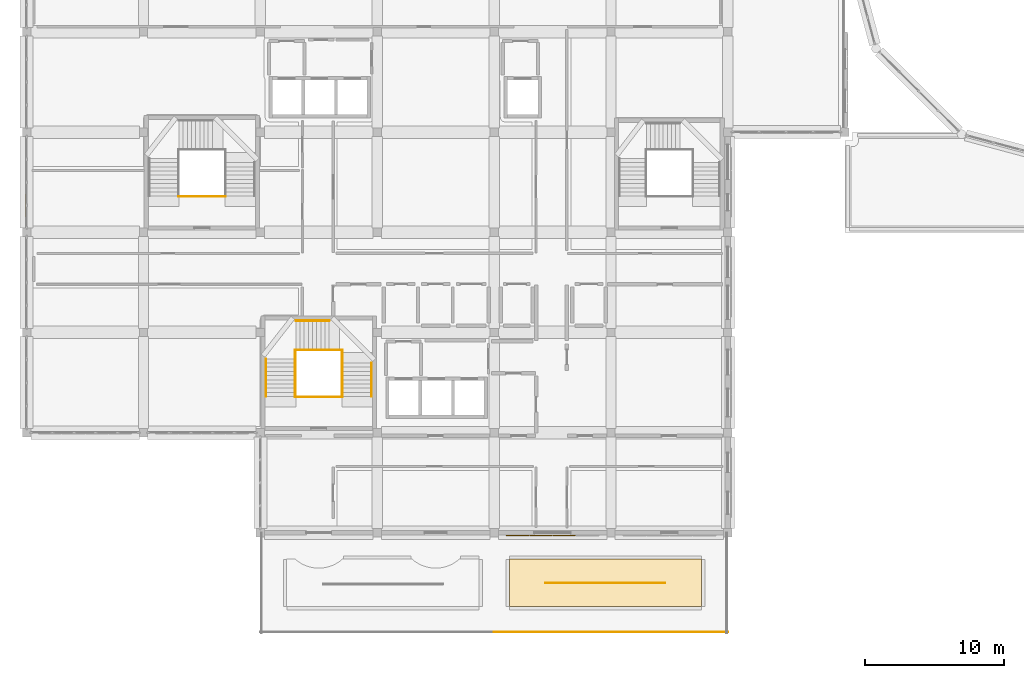
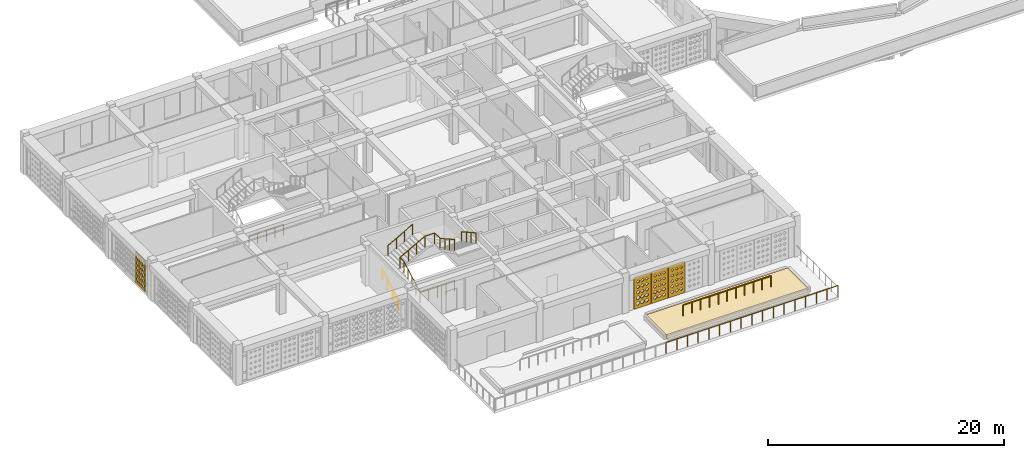
# One storey, part 37 of 48: 11 railings, 5 coverings.
"""IFC4 building model written with IfcOpenShell, lengths in metres."""

from ifc_helpers import new_model, si_unit, derived_unit, direction, frame, origin, origin_2d, place, context, subcontext, project, spatial, polyline, circle, outline, extrude, material, layer, layer_set, type_object, element, save


model = new_model("IFC4")

# Units and contexts
model_context = context("Model", 3, precision=1e-05, world=origin(), true_north=direction((0.0, 1.0)))
body_context = subcontext(model_context, "Body", "Model", "MODEL_VIEW")
ifc_project = project(units=[si_unit("LENGTHUNIT", "METRE"), si_unit("AREAUNIT", "SQUARE_METRE"), si_unit("VOLUMEUNIT", "CUBIC_METRE"), si_unit("PLANEANGLEUNIT", "RADIAN"), si_unit("MASSUNIT", "GRAM", prefix="KILO"), derived_unit("THERMALTRANSMITTANCEUNIT", [(si_unit("POWERUNIT", "WATT"), 1), (si_unit("LENGTHUNIT", "METRE"), -2), (si_unit("THERMODYNAMICTEMPERATUREUNIT", "KELVIN"), -1)])], contexts=[model_context])

# Site, building, storey
site_placement = place(None, origin())
site = spatial("IfcSite", under=ifc_project, at=site_placement, CompositionType="ELEMENT")
building_placement = place(site_placement, origin())
building = spatial("IfcBuilding", under=site, at=building_placement, Name="Veybourne Emporium", CompositionType="ELEMENT")
storey_placement = place(building_placement, frame((0.0, 0.0, 27.89990234375)))
storey = spatial("IfcBuildingStorey", under=building, at=storey_placement, Name="L06", CompositionType="ELEMENT", Elevation=27.89990234375)

# Railings
ifc_material_1 = material(Name="Brushed Stainless Steel", Category="steel")
railing_type_1 = type_object("IfcRailingType", Name="Guard_GR-01", PredefinedType="GUARDRAIL", material=ifc_material_1)
railing_1_placement = place(storey_placement, frame((19.31005859375, 17.0, 0.0)))
element("IfcRailing", 1, at=railing_1_placement, inside=storey, type_object=railing_type_1, Name="L06 ST-01 stair guard 1", PredefinedType="GUARDRAIL", context=body_context, shape_type="SweptSolid", body=[
    extrude(circle(Radius=0.02392578125, at=origin_2d()), frame((0.0, 0.0, 1.1259765625), z_axis=(0.0, 0.87415354758, 0.485649642493), x_axis=(-1.0, 0.0, 0.0)), (0.0, 0.0, 1.0), 3.088623046875),
    extrude(circle(Radius=0.02392578125, at=origin_2d()), frame((0.0, 2.699951171875, 2.6259765625), z_axis=(0.0, 1.0, 0.0), x_axis=(-1.0, 0.0, 0.0)), (0.0, 0.0, 1.0), 0.64013671875),
    extrude(circle(Radius=0.02099609375, at=origin_2d()), origin(), (0.0, 0.0, 1.0), 1.101806640625),
    extrude(circle(Radius=0.02099609375, at=origin_2d()), frame((0.0, 0.675048828125, 0.375)), (0.0, 0.0, 1.0), 1.101806640625),
    extrude(circle(Radius=0.02099609375, at=origin_2d()), frame((0.0, 1.35009765625, 0.75)), (0.0, 0.0, 1.0), 1.101806640625),
    extrude(circle(Radius=0.02099609375, at=origin_2d()), frame((0.0, 2.02490234375, 1.125)), (0.0, 0.0, 1.0), 1.101806640625),
    extrude(circle(Radius=0.02099609375, at=origin_2d()), frame((0.0, 2.699951171875, 1.5)), (0.0, 0.0, 1.0), 1.101806640625),
    extrude(circle(Radius=0.02099609375, at=origin_2d()), frame((0.0, 3.340087890625, 1.5)), (0.0, 0.0, 1.0), 1.101806640625),
])
railing_2_placement = place(storey_placement, frame((19.31005859375, 20.340087890625, 1.5)))
element("IfcRailing", 2, at=railing_2_placement, inside=storey, type_object=railing_type_1, Name="L06 ST-01 stair guard 2", PredefinedType="GUARDRAIL", context=body_context, shape_type="SweptSolid", body=[
    extrude(circle(Radius=0.02392578125, at=origin_2d()), frame((0.0, 0.0, 1.1259765625), z_axis=(0.874981962121, 0.0, 0.484155518364), x_axis=(0.0, 1.0, 0.0)), (0.0, 0.0, 1.0), 2.78857421875),
    extrude(circle(Radius=0.02392578125, at=origin_2d()), frame((2.43994140625, 0.0, 2.47607421875), z_axis=(1.0, 0.0, 0.0), x_axis=(0.0, 1.0, 0.0)), (0.0, 0.0, 1.0), 0.93994140625),
    extrude(circle(Radius=0.02099609375, at=origin_2d()), origin(), (0.0, 0.0, 1.0), 1.101806640625),
    extrude(circle(Radius=0.02099609375, at=origin_2d()), frame((0.813232421875, 0.0, 0.449951171875)), (0.0, 0.0, 1.0), 1.101806640625),
    extrude(circle(Radius=0.02099609375, at=origin_2d()), frame((1.626708984375, 0.0, 0.900146484375)), (0.0, 0.0, 1.0), 1.101806640625),
    extrude(circle(Radius=0.02099609375, at=origin_2d()), frame((2.43994140625, 0.0, 1.35009765625)), (0.0, 0.0, 1.0), 1.101806640625),
    extrude(circle(Radius=0.02099609375, at=origin_2d()), frame((3.3798828125, 0.0, 1.35009765625)), (0.0, 0.0, 1.0), 1.101806640625),
])
railing_3_placement = place(storey_placement, frame((22.68994140625, 20.340087890625, 2.85009765625)))
element("IfcRailing", 3, at=railing_3_placement, inside=storey, type_object=railing_type_1, Name="L06 ST-01 stair guard 3", PredefinedType="GUARDRAIL", context=body_context, shape_type="SweptSolid", body=[
    extrude(circle(Radius=0.02392578125, at=origin_2d()), frame((0.0, 0.0, 1.1259765625), z_axis=(0.0, -1.0, 0.0), x_axis=(1.0, 0.0, 0.0)), (0.0, 0.0, 1.0), 0.940185546875),
    extrude(circle(Radius=0.02392578125, at=origin_2d()), frame((0.0, -0.940185546875, 1.1259765625), z_axis=(0.0, -0.87155185771, 0.490303333991), x_axis=(1.0, 0.0, 0.0)), (0.0, 0.0, 1.0), 2.753662109375),
    extrude(circle(Radius=0.02099609375, at=origin_2d()), origin(), (0.0, 0.0, 1.0), 1.101806640625),
    extrude(circle(Radius=0.02099609375, at=origin_2d()), frame((0.0, -0.940185546875, 0.0)), (0.0, 0.0, 1.0), 1.101806640625),
    extrude(circle(Radius=0.02099609375, at=origin_2d()), frame((0.0, -1.740234375, 0.449951171875)), (0.0, 0.0, 1.0), 1.101806640625),
    extrude(circle(Radius=0.02099609375, at=origin_2d()), frame((0.0, -2.5400390625, 0.900146484375)), (0.0, 0.0, 1.0), 1.101806640625),
    extrude(circle(Radius=0.02099609375, at=origin_2d()), frame((0.0, -3.340087890625, 1.35009765625)), (0.0, 0.0, 1.0), 1.101806640625),
])
railing_4_placement = place(storey_placement, frame((19.31005859375, 16.9599609375, 0.0)))
element("IfcRailing", 4, at=railing_4_placement, inside=storey, type_object=railing_type_1, Name="L06 ST-01 stair guard 4", PredefinedType="GUARDRAIL", context=body_context, shape_type="SweptSolid", body=[
    extrude(circle(Radius=0.02392578125, at=origin_2d()), frame((0.0, 0.0, 1.1259765625), z_axis=(1.0, 0.0, 0.0), x_axis=(0.0, 1.0, 0.0)), (0.0, 0.0, 1.0), 3.3798828125),
    extrude(circle(Radius=0.02099609375, at=origin_2d()), origin(), (0.0, 0.0, 1.0), 1.101806640625),
    extrude(circle(Radius=0.02099609375, at=origin_2d()), frame((0.844970703125, 0.0, 0.0)), (0.0, 0.0, 1.0), 1.101806640625),
    extrude(circle(Radius=0.02099609375, at=origin_2d()), frame((1.68994140625, 0.0, 0.0)), (0.0, 0.0, 1.0), 1.101806640625),
    extrude(circle(Radius=0.02099609375, at=origin_2d()), frame((2.534912109375, 0.0, 0.0)), (0.0, 0.0, 1.0), 1.101806640625),
    extrude(circle(Radius=0.02099609375, at=origin_2d()), frame((3.3798828125, 0.0, 0.0)), (0.0, 0.0, 1.0), 1.101806640625),
])
railing_5_placement = place(storey_placement, frame((10.909912109375, 31.360107421875, 0.0)))
element("IfcRailing", 5, at=railing_5_placement, inside=storey, type_object=railing_type_1, Name="L06 ST-02 stair guard 4", PredefinedType="GUARDRAIL", context=body_context, shape_type="SweptSolid", body=[
    extrude(circle(Radius=0.02392578125, at=origin_2d()), frame((0.0, 0.0, 1.1259765625), z_axis=(1.0, 0.0, 0.0), x_axis=(0.0, 1.0, 0.0)), (0.0, 0.0, 1.0), 3.380126953125),
    extrude(circle(Radius=0.02099609375, at=origin_2d()), origin(), (0.0, 0.0, 1.0), 1.101806640625),
    extrude(circle(Radius=0.02099609375, at=origin_2d()), frame((0.844970703125, 0.0, 0.0)), (0.0, 0.0, 1.0), 1.101806640625),
    extrude(circle(Radius=0.02099609375, at=origin_2d()), frame((1.68994140625, 0.0, 0.0)), (0.0, 0.0, 1.0), 1.101806640625),
    extrude(circle(Radius=0.02099609375, at=origin_2d()), frame((2.53515625, 0.0, 0.0)), (0.0, 0.0, 1.0), 1.101806640625),
    extrude(circle(Radius=0.02099609375, at=origin_2d()), frame((3.380126953125, 0.0, 0.0)), (0.0, 0.0, 1.0), 1.101806640625),
])
ifc_material_2 = material(Name="Patinated Architectural Bronze", Category="bronze")
railing_type_2 = type_object("IfcRailingType", Name="Guard_GR-02", PredefinedType="GUARDRAIL", material=ifc_material_2)
for number, where, name in (
    (6, (42.0, 0.080078125, 0.0), "L06 terrace perimeter guardrail 004"),
    (7, (50.39990234375, 0.080078125, 0.0), "L06 terrace perimeter guardrail 007"),
):
    element("IfcRailing", number, at=place(storey_placement, frame(where)), inside=storey, type_object=railing_type_2, Name=name, PredefinedType="GUARDRAIL", context=body_context, shape_type="SweptSolid", body=[
        extrude(circle(Radius=0.02392578125, at=origin_2d()), frame((0.0, 0.0, 1.1259765625), z_axis=(-1.0, 0.0, 0.0), x_axis=(0.0, -1.0, 0.0)), (0.0, 0.0, 1.0), 8.39990234375),
        extrude(circle(Radius=0.02099609375, at=origin_2d()), origin(), (0.0, 0.0, 1.0), 1.101806640625),
        extrude(circle(Radius=0.02099609375, at=origin_2d()), frame((-1.050048828125, 0.0, 0.0)), (0.0, 0.0, 1.0), 1.101806640625),
        extrude(circle(Radius=0.02099609375, at=origin_2d()), frame((-2.10009765625, 0.0, 0.0)), (0.0, 0.0, 1.0), 1.101806640625),
        extrude(circle(Radius=0.02099609375, at=origin_2d()), frame((-3.14990234375, 0.0, 0.0)), (0.0, 0.0, 1.0), 1.101806640625),
        extrude(circle(Radius=0.02099609375, at=origin_2d()), frame((-4.199951171875, 0.0, 0.0)), (0.0, 0.0, 1.0), 1.101806640625),
        extrude(circle(Radius=0.02099609375, at=origin_2d()), frame((-5.25, 0.0, 0.0)), (0.0, 0.0, 1.0), 1.101806640625),
        extrude(circle(Radius=0.02099609375, at=origin_2d()), frame((-6.2998046875, 0.0, 0.0)), (0.0, 0.0, 1.0), 1.101806640625),
        extrude(circle(Radius=0.02099609375, at=origin_2d()), frame((-7.349853515625, 0.0, 0.0)), (0.0, 0.0, 1.0), 1.101806640625),
        extrude(circle(Radius=0.02099609375, at=origin_2d()), frame((-8.39990234375, 0.0, 0.0)), (0.0, 0.0, 1.0), 1.101806640625),
    ])
railing_6_placement = place(storey_placement, frame((37.31005859375, 3.60009765625, 0.440185546875)))
element("IfcRailing", 8, at=railing_6_placement, inside=storey, type_object=railing_type_2, Name="L06 bronze roof-garden trellis balustrade 2.2", PredefinedType="GUARDRAIL", context=body_context, shape_type="SweptSolid", body=[
    extrude(circle(Radius=0.02392578125, at=origin_2d()), frame((0.0, 0.0, 1.1259765625), z_axis=(1.0, 0.0, 0.0), x_axis=(0.0, 1.0, 0.0)), (0.0, 0.0, 1.0), 8.579833984375),
    extrude(circle(Radius=0.02099609375, at=origin_2d()), origin(), (0.0, 0.0, 1.0), 1.101806640625),
    extrude(circle(Radius=0.02099609375, at=origin_2d()), frame((0.85791015625, 0.0, 0.0)), (0.0, 0.0, 1.0), 1.101806640625),
    extrude(circle(Radius=0.02099609375, at=origin_2d()), frame((1.716064453125, 0.0, 0.0)), (0.0, 0.0, 1.0), 1.101806640625),
    extrude(circle(Radius=0.02099609375, at=origin_2d()), frame((2.573974609375, 0.0, 0.0)), (0.0, 0.0, 1.0), 1.101806640625),
    extrude(circle(Radius=0.02099609375, at=origin_2d()), frame((3.431884765625, 0.0, 0.0)), (0.0, 0.0, 1.0), 1.101806640625),
    extrude(circle(Radius=0.02099609375, at=origin_2d()), frame((4.2900390625, 0.0, 0.0)), (0.0, 0.0, 1.0), 1.101806640625),
    extrude(circle(Radius=0.02099609375, at=origin_2d()), frame((5.14794921875, 0.0, 0.0)), (0.0, 0.0, 1.0), 1.101806640625),
    extrude(circle(Radius=0.02099609375, at=origin_2d()), frame((6.005859375, 0.0, 0.0)), (0.0, 0.0, 1.0), 1.101806640625),
    extrude(circle(Radius=0.02099609375, at=origin_2d()), frame((6.86376953125, 0.0, 0.0)), (0.0, 0.0, 1.0), 1.101806640625),
    extrude(circle(Radius=0.02099609375, at=origin_2d()), frame((7.721923828125, 0.0, 0.0)), (0.0, 0.0, 1.0), 1.101806640625),
    extrude(circle(Radius=0.02099609375, at=origin_2d()), frame((8.579833984375, 0.0, 0.0)), (0.0, 0.0, 1.0), 1.101806640625),
])
railing_type_3 = type_object("IfcRailingType", Name="Handrail_HR-01", PredefinedType="HANDRAIL", material=ifc_material_1)
railing_7_placement = place(storey_placement, frame((17.2099609375, 17.0, 0.150146484375)))
element("IfcRailing", 9, at=railing_7_placement, inside=storey, type_object=railing_type_3, Name="L06 ST-01 pitch handrail 1", PredefinedType="HANDRAIL", context=body_context, shape_type="SweptSolid", body=[
    extrude(circle(Radius=0.02392578125, at=origin_2d()), frame((0.0, 0.0, 0.92578125), z_axis=(0.0, 0.87415354758, 0.485649642493), x_axis=(-1.0, 0.0, 0.0)), (0.0, 0.0, 1.0), 3.088623046875),
    extrude(circle(Radius=0.02099609375, at=origin_2d()), frame((0.0, 0.0, -0.14990234375)), (0.0, 0.0, 1.0), 1.0517578125),
    extrude(circle(Radius=0.02099609375, at=origin_2d()), frame((0.0, 0.89990234375, 0.35009765625)), (0.0, 0.0, 1.0), 1.0517578125),
    extrude(circle(Radius=0.02099609375, at=origin_2d()), frame((0.0, 1.800048828125, 0.85009765625)), (0.0, 0.0, 1.0), 1.0517578125),
    extrude(circle(Radius=0.02099609375, at=origin_2d()), frame((0.0, 2.699951171875, 1.35009765625)), (0.0, 0.0, 1.0), 1.0517578125),
])
railing_8_placement = place(storey_placement, frame((19.35009765625, 22.43994140625, 1.650146484375)))
element("IfcRailing", 10, at=railing_8_placement, inside=storey, type_object=railing_type_3, Name="L06 ST-01 pitch handrail 2", PredefinedType="HANDRAIL", context=body_context, shape_type="SweptSolid", body=[
    extrude(circle(Radius=0.02392578125, at=origin_2d()), frame((0.0, 0.0, 0.92578125), z_axis=(0.871589744415, 0.0, 0.49023598137), x_axis=(0.0, 1.0, 0.0)), (0.0, 0.0, 1.0), 2.75341796875),
    extrude(circle(Radius=0.02099609375, at=origin_2d()), frame((0.0, 0.0, -0.14990234375)), (0.0, 0.0, 1.0), 1.0517578125),
    extrude(circle(Radius=0.02099609375, at=origin_2d()), frame((0.800048828125, 0.0, 0.300048828125)), (0.0, 0.0, 1.0), 1.0517578125),
    extrude(circle(Radius=0.02099609375, at=origin_2d()), frame((1.599853515625, 0.0, 0.75)), (0.0, 0.0, 1.0), 1.0517578125),
    extrude(circle(Radius=0.02099609375, at=origin_2d()), frame((2.39990234375, 0.0, 1.199951171875)), (0.0, 0.0, 1.0), 1.0517578125),
])
railing_9_placement = place(storey_placement, frame((24.7900390625, 19.39990234375, 3.0)))
element("IfcRailing", 11, at=railing_9_placement, inside=storey, type_object=railing_type_3, Name="L06 ST-01 pitch handrail 3", PredefinedType="HANDRAIL", context=body_context, shape_type="SweptSolid", body=[
    extrude(circle(Radius=0.02392578125, at=origin_2d()), frame((0.0, 0.0, 0.92578125), z_axis=(0.0, -0.87155185771, 0.490303333991), x_axis=(1.0, 0.0, 0.0)), (0.0, 0.0, 1.0), 2.753662109375),
    extrude(circle(Radius=0.02099609375, at=origin_2d()), frame((0.0, 0.0, -0.14990234375)), (0.0, 0.0, 1.0), 1.0517578125),
    extrude(circle(Radius=0.02099609375, at=origin_2d()), frame((0.0, -0.800048828125, 0.300048828125)), (0.0, 0.0, 1.0), 1.0517578125),
    extrude(circle(Radius=0.02099609375, at=origin_2d()), frame((0.0, -1.599853515625, 0.750244140625)), (0.0, 0.0, 1.0), 1.0517578125),
    extrude(circle(Radius=0.02099609375, at=origin_2d()), frame((0.0, -2.39990234375, 1.2001953125)), (0.0, 0.0, 1.0), 1.0517578125),
])

# Coverings
ifc_material_3 = material(Name="Intensive Green Roof Build-up", Category="membrane")
ifc_layer_1 = layer(ifc_material_3, 0.43994140625)
ifc_layer_set_1 = layer_set([ifc_layer_1], Name="Intensive Green Roof Build-up")
covering_type_1 = type_object("IfcCoveringType", Name="Roofing_RFG-02", PredefinedType="ROOFING", material=ifc_layer_set_1)
covering_1_placement = place(storey_placement, origin())
element("IfcCovering", 12, at=covering_1_placement, inside=storey, type_object=covering_type_1, Name="L06 intensive planted garden bed 2.2", PredefinedType="ROOFING", context=body_context, shape_type="SweptSolid", body=[
    extrude(outline(polyline([(48.510009765625, 5.31005859375), (48.510009765625, 1.889892578125), (34.68994140625, 1.889892578125), (34.68994140625, 5.31005859375), (48.510009765625, 5.31005859375)])), origin(), (0.0, 0.0, 1.0), 0.440185546875),
])
ifc_material_4 = material(Name="Warm-White Perforated Aluminium Screen Alloy", Category="aluminium")
ifc_layer_2 = layer(ifc_material_4, 0.06005859375)
ifc_layer_set_2 = layer_set([ifc_layer_2], Name="Warm-White Perforated Aluminium Screen Alloy")
covering_type_2 = type_object("IfcCoveringType", Name="WaveScreen_SCR-01", PredefinedType="CLADDING", material=ifc_layer_set_2)
covering_2_placement = place(storey_placement, frame((36.9599609375, 6.97705078125, 1.68017578125), z_axis=(0.0, 1.0, 0.0), x_axis=(-1.0, 0.0, 0.0)))
element("IfcCovering", 13, at=covering_2_placement, inside=storey, type_object=covering_type_2, Name="L06 wave-perforated aluminium screen SCR-01 (15T.3)", PredefinedType="CLADDING", context=body_context, shape_type="SweptSolid", body=[
    extrude(outline(polyline([(-0.81982421875, -1.6201171875), (0.81982421875, -1.6201171875), (0.81982421875, 1.6201171875), (-0.81982421875, 1.6201171875), (-0.81982421875, -1.6201171875)]), holes=[polyline([(-0.433349609375, -0.947998046875), (-0.28271484375, -1.05810546875), (-0.28271484375, -1.181884765625), (-0.433349609375, -1.2919921875), (-0.583984375, -1.181884765625), (-0.583984375, -1.05810546875), (-0.433349609375, -0.947998046875)]), polyline([(-0.433349609375, -0.400390625), (-0.292724609375, -0.50244140625), (-0.292724609375, -0.617431640625), (-0.433349609375, -0.719482421875), (-0.573974609375, -0.617431640625), (-0.573974609375, -0.50244140625), (-0.433349609375, -0.400390625)]), polyline([(-0.433349609375, 0.148193359375), (-0.302001953125, 0.053466796875), (-0.302001953125, -0.053466796875), (-0.433349609375, -0.148193359375), (-0.564697265625, -0.053466796875), (-0.564697265625, 0.053466796875), (-0.433349609375, 0.148193359375)]), polyline([(-0.433349609375, 0.697998046875), (-0.310546875, 0.609619140625), (-0.310546875, 0.510498046875), (-0.433349609375, 0.422119140625), (-0.55615234375, 0.510498046875), (-0.55615234375, 0.609619140625), (-0.433349609375, 0.697998046875)]), polyline([(-0.433349609375, 1.248779296875), (-0.31787109375, 1.16650390625), (-0.31787109375, 1.073486328125), (-0.433349609375, 0.9912109375), (-0.548828125, 1.073486328125), (-0.548828125, 1.16650390625), (-0.433349609375, 1.248779296875)]), polyline([(0.0, -0.94189453125), (0.15576171875, -1.055908203125), (0.15576171875, -1.18408203125), (0.0, -1.298095703125), (-0.15576171875, -1.18408203125), (-0.15576171875, -1.055908203125), (0.0, -0.94189453125)]), polyline([(0.0, -0.394287109375), (0.1455078125, -0.50048828125), (0.1455078125, -0.61962890625), (0.0, -0.7255859375), (-0.1455078125, -0.61962890625), (-0.1455078125, -0.50048828125), (0.0, -0.394287109375)]), polyline([(0.0, 0.15380859375), (0.1357421875, 0.055419921875), (0.1357421875, -0.055419921875), (0.0, -0.15380859375), (-0.1357421875, -0.055419921875), (-0.1357421875, 0.055419921875), (0.0, 0.15380859375)]), polyline([(0.0, 0.702880859375), (0.126953125, 0.611328125), (0.126953125, 0.508544921875), (0.0, 0.4169921875), (-0.126953125, 0.508544921875), (-0.126953125, 0.611328125), (0.0, 0.702880859375)]), polyline([(0.0, 1.253173828125), (0.118896484375, 1.16796875), (0.118896484375, 1.072021484375), (0.0, 0.98681640625), (-0.118896484375, 1.072021484375), (-0.118896484375, 1.16796875), (0.0, 1.253173828125)]), polyline([(0.433349609375, -0.935546875), (0.59423828125, -1.0537109375), (0.59423828125, -1.186279296875), (0.433349609375, -1.304443359375), (0.2724609375, -1.186279296875), (0.2724609375, -1.0537109375), (0.433349609375, -0.935546875)]), polyline([(0.433349609375, -0.38818359375), (0.583984375, -0.498291015625), (0.583984375, -0.621826171875), (0.433349609375, -0.731689453125), (0.28271484375, -0.621826171875), (0.28271484375, -0.498291015625), (0.433349609375, -0.38818359375)]), polyline([(0.433349609375, 0.15966796875), (0.573974609375, 0.057373046875), (0.573974609375, -0.057373046875), (0.433349609375, -0.15966796875), (0.292724609375, -0.057373046875), (0.292724609375, 0.057373046875), (0.433349609375, 0.15966796875)]), polyline([(0.433349609375, 0.708251953125), (0.564697265625, 0.61328125), (0.564697265625, 0.506591796875), (0.433349609375, 0.411865234375), (0.302001953125, 0.506591796875), (0.302001953125, 0.61328125), (0.433349609375, 0.708251953125)]), polyline([(0.433349609375, 1.2578125), (0.55615234375, 1.169677734375), (0.55615234375, 1.0703125), (0.433349609375, 0.982177734375), (0.310546875, 1.0703125), (0.310546875, 1.169677734375), (0.433349609375, 1.2578125)])]), origin(), (0.0, 0.0, 1.0), 0.06005859375),
])
ifc_layer_3 = layer(ifc_material_4, 0.06005859375)
ifc_layer_set_3 = layer_set([ifc_layer_3], Name="Warm-White Perforated Aluminium Screen Alloy")
covering_type_3 = type_object("IfcCoveringType", Name="WaveScreen_SCR-02", PredefinedType="CLADDING", material=ifc_layer_set_3)
covering_3_placement = place(storey_placement, frame((35.280029296875, 6.97705078125, 1.68017578125), z_axis=(0.0, 1.0, 0.0), x_axis=(-1.0, 0.0, 0.0)))
element("IfcCovering", 14, at=covering_3_placement, inside=storey, type_object=covering_type_3, Name="L06 wave-perforated aluminium screen SCR-02 (15T.4)", PredefinedType="CLADDING", context=body_context, shape_type="SweptSolid", body=[
    extrude(outline(polyline([(-0.81982421875, -1.6201171875), (0.81982421875, -1.6201171875), (0.81982421875, 1.6201171875), (-0.81982421875, 1.6201171875), (-0.81982421875, -1.6201171875)]), holes=[polyline([(-0.433349609375, -0.92333984375), (-0.262451171875, -1.04931640625), (-0.262451171875, -1.19091796875), (-0.433349609375, -1.316650390625), (-0.604248046875, -1.19091796875), (-0.604248046875, -1.04931640625), (-0.433349609375, -0.92333984375)]), polyline([(-0.433349609375, -0.376220703125), (-0.273193359375, -0.493896484375), (-0.273193359375, -0.626220703125), (-0.433349609375, -0.74365234375), (-0.593505859375, -0.626220703125), (-0.593505859375, -0.493896484375), (-0.433349609375, -0.376220703125)]), polyline([(-0.433349609375, 0.1708984375), (-0.283447265625, 0.0615234375), (-0.283447265625, -0.0615234375), (-0.433349609375, -0.1708984375), (-0.583251953125, -0.0615234375), (-0.583251953125, 0.0615234375), (-0.433349609375, 0.1708984375)]), polyline([(-0.433349609375, 0.71875), (-0.29345703125, 0.6171875), (-0.29345703125, 0.502685546875), (-0.433349609375, 0.401123046875), (-0.5732421875, 0.502685546875), (-0.5732421875, 0.6171875), (-0.433349609375, 0.71875)]), polyline([(-0.433349609375, 1.267333984375), (-0.302734375, 1.173095703125), (-0.302734375, 1.06689453125), (-0.433349609375, 0.97265625), (-0.56396484375, 1.06689453125), (-0.56396484375, 1.173095703125), (-0.433349609375, 1.267333984375)]), polyline([(0.0, -0.9169921875), (0.176025390625, -1.046875), (0.176025390625, -1.193115234375), (0.0, -1.322998046875), (-0.176025390625, -1.193115234375), (-0.176025390625, -1.046875), (0.0, -0.9169921875)]), polyline([(0.0, -0.369873046875), (0.16552734375, -0.49169921875), (0.16552734375, -0.62841796875), (0.0, -0.75), (-0.16552734375, -0.62841796875), (-0.16552734375, -0.49169921875), (0.0, -0.369873046875)]), polyline([(0.0, 0.17724609375), (0.155029296875, 0.063720703125), (0.155029296875, -0.063720703125), (0.0, -0.17724609375), (-0.155029296875, -0.063720703125), (-0.155029296875, 0.063720703125), (0.0, 0.17724609375)]), polyline([(0.0, 0.724853515625), (0.144775390625, 0.619384765625), (0.144775390625, 0.500732421875), (0.0, 0.395263671875), (-0.144775390625, 0.500732421875), (-0.144775390625, 0.619384765625), (0.0, 0.724853515625)]), polyline([(0.0, 1.27294921875), (0.13525390625, 1.175048828125), (0.13525390625, 1.06494140625), (0.0, 0.967041015625), (-0.13525390625, 1.06494140625), (-0.13525390625, 1.175048828125), (0.0, 1.27294921875)]), polyline([(0.433349609375, -0.91064453125), (0.614501953125, -1.044677734375), (0.614501953125, -1.1953125), (0.433349609375, -1.329345703125), (0.252197265625, -1.1953125), (0.252197265625, -1.044677734375), (0.433349609375, -0.91064453125)]), polyline([(0.433349609375, -0.363525390625), (0.60400390625, -0.4892578125), (0.60400390625, -0.630615234375), (0.433349609375, -0.756591796875), (0.262451171875, -0.630615234375), (0.262451171875, -0.4892578125), (0.433349609375, -0.363525390625)]), polyline([(0.433349609375, 0.18359375), (0.593505859375, 0.066162109375), (0.593505859375, -0.066162109375), (0.433349609375, -0.18359375), (0.273193359375, -0.066162109375), (0.273193359375, 0.066162109375), (0.433349609375, 0.18359375)]), polyline([(0.433349609375, 0.73095703125), (0.583251953125, 0.62158203125), (0.583251953125, 0.49853515625), (0.433349609375, 0.38916015625), (0.283447265625, 0.49853515625), (0.283447265625, 0.62158203125), (0.433349609375, 0.73095703125)]), polyline([(0.433349609375, 1.27880859375), (0.5732421875, 1.177001953125), (0.5732421875, 1.06298828125), (0.433349609375, 0.961181640625), (0.29345703125, 1.06298828125), (0.29345703125, 1.177001953125), (0.433349609375, 1.27880859375)])]), origin(), (0.0, 0.0, 1.0), 0.06005859375),
])
ifc_layer_4 = layer(ifc_material_4, 0.06005859375)
ifc_layer_set_4 = layer_set([ifc_layer_4], Name="Warm-White Perforated Aluminium Screen Alloy")
covering_type_4 = type_object("IfcCoveringType", Name="WaveScreen_SCR-04", PredefinedType="CLADDING", material=ifc_layer_set_4)
covering_4_placement = place(storey_placement, frame((-0.093017578125, 30.719970703125, 1.68017578125), z_axis=(1.0, 0.0, 0.0), x_axis=(0.0, 1.0, 0.0)))
element("IfcCovering", 15, at=covering_4_placement, inside=storey, type_object=covering_type_4, Name="L06 wave-perforated aluminium screen SCR-04 (4C.1)", PredefinedType="CLADDING", context=body_context, shape_type="SweptSolid", body=[
    extrude(outline(polyline([(-0.81982421875, -1.6201171875), (0.81982421875, -1.6201171875), (0.81982421875, 1.6201171875), (-0.81982421875, 1.6201171875), (-0.81982421875, -1.6201171875)]), holes=[polyline([(-0.433349609375, -0.879150390625), (-0.2470703125, -1.033203125), (-0.2470703125, -1.206787109375), (-0.433349609375, -1.36083984375), (-0.61962890625, -1.206787109375), (-0.61962890625, -1.033203125), (-0.433349609375, -0.879150390625)]), polyline([(-0.433349609375, -0.319091796875), (-0.2470703125, -0.473388671875), (-0.2470703125, -0.646728515625), (-0.433349609375, -0.80078125), (-0.61962890625, -0.646728515625), (-0.61962890625, -0.473388671875), (-0.433349609375, -0.319091796875)]), polyline([(-0.433349609375, 0.24072265625), (-0.2470703125, 0.086669921875), (-0.2470703125, -0.086669921875), (-0.433349609375, -0.24072265625), (-0.61962890625, -0.086669921875), (-0.61962890625, 0.086669921875), (-0.433349609375, 0.24072265625)]), polyline([(-0.433349609375, 0.80078125), (-0.2470703125, 0.646728515625), (-0.2470703125, 0.473388671875), (-0.433349609375, 0.319091796875), (-0.61962890625, 0.473388671875), (-0.61962890625, 0.646728515625), (-0.433349609375, 0.80078125)]), polyline([(-0.433349609375, 1.36083984375), (-0.2470703125, 1.206787109375), (-0.2470703125, 1.033203125), (-0.433349609375, 0.879150390625), (-0.61962890625, 1.033203125), (-0.61962890625, 1.206787109375), (-0.433349609375, 1.36083984375)]), polyline([(0.0, -0.879150390625), (0.186279296875, -1.033203125), (0.186279296875, -1.206787109375), (0.0, -1.36083984375), (-0.186279296875, -1.206787109375), (-0.186279296875, -1.033203125), (0.0, -0.879150390625)]), polyline([(0.0, -0.319091796875), (0.186279296875, -0.473388671875), (0.186279296875, -0.646728515625), (0.0, -0.80078125), (-0.186279296875, -0.646728515625), (-0.186279296875, -0.473388671875), (0.0, -0.319091796875)]), polyline([(0.0, 0.24072265625), (0.186279296875, 0.086669921875), (0.186279296875, -0.086669921875), (0.0, -0.24072265625), (-0.186279296875, -0.086669921875), (-0.186279296875, 0.086669921875), (0.0, 0.24072265625)]), polyline([(0.0, 0.80078125), (0.186279296875, 0.646728515625), (0.186279296875, 0.473388671875), (0.0, 0.319091796875), (-0.186279296875, 0.473388671875), (-0.186279296875, 0.646728515625), (0.0, 0.80078125)]), polyline([(0.0, 1.36083984375), (0.186279296875, 1.206787109375), (0.186279296875, 1.033203125), (0.0, 0.879150390625), (-0.186279296875, 1.033203125), (-0.186279296875, 1.206787109375), (0.0, 1.36083984375)]), polyline([(0.433349609375, -0.879150390625), (0.61962890625, -1.033203125), (0.61962890625, -1.206787109375), (0.433349609375, -1.36083984375), (0.2470703125, -1.206787109375), (0.2470703125, -1.033203125), (0.433349609375, -0.879150390625)]), polyline([(0.433349609375, -0.319091796875), (0.61962890625, -0.473388671875), (0.61962890625, -0.646728515625), (0.433349609375, -0.80078125), (0.2470703125, -0.646728515625), (0.2470703125, -0.473388671875), (0.433349609375, -0.319091796875)]), polyline([(0.433349609375, 0.24072265625), (0.61962890625, 0.086669921875), (0.61962890625, -0.086669921875), (0.433349609375, -0.24072265625), (0.2470703125, -0.086669921875), (0.2470703125, 0.086669921875), (0.433349609375, 0.24072265625)]), polyline([(0.433349609375, 0.80078125), (0.61962890625, 0.646728515625), (0.61962890625, 0.473388671875), (0.433349609375, 0.319091796875), (0.2470703125, 0.473388671875), (0.2470703125, 0.646728515625), (0.433349609375, 0.80078125)]), polyline([(0.433349609375, 1.36083984375), (0.61962890625, 1.206787109375), (0.61962890625, 1.033203125), (0.433349609375, 0.879150390625), (0.2470703125, 1.033203125), (0.2470703125, 1.206787109375), (0.433349609375, 1.36083984375)])]), origin(), (0.0, 0.0, 1.0), 0.06005859375),
])
covering_5_placement = place(storey_placement, frame((38.639892578125, 6.97705078125, 1.68017578125), z_axis=(0.0, 1.0, 0.0), x_axis=(-1.0, 0.0, 0.0)))
element("IfcCovering", 16, at=covering_5_placement, inside=storey, type_object=covering_type_4, Name="L06 wave-perforated aluminium screen SCR-04 (15T.2)", PredefinedType="CLADDING", context=body_context, shape_type="SweptSolid", body=[
    extrude(outline(polyline([(-0.81982421875, -1.6201171875), (0.81982421875, -1.6201171875), (0.81982421875, 1.6201171875), (-0.81982421875, 1.6201171875), (-0.81982421875, -1.6201171875)]), holes=[polyline([(-0.433349609375, -0.970947265625), (-0.301513671875, -1.06640625), (-0.301513671875, -1.173583984375), (-0.433349609375, -1.26904296875), (-0.565185546875, -1.173583984375), (-0.565185546875, -1.06640625), (-0.433349609375, -0.970947265625)]), polyline([(-0.433349609375, -0.42138671875), (-0.309814453125, -0.510009765625), (-0.309814453125, -0.60986328125), (-0.433349609375, -0.698486328125), (-0.556640625, -0.60986328125), (-0.556640625, -0.510009765625), (-0.433349609375, -0.42138671875)]), polyline([(-0.433349609375, 0.12939453125), (-0.3173828125, 0.046630859375), (-0.3173828125, -0.046630859375), (-0.433349609375, -0.12939453125), (-0.54931640625, -0.046630859375), (-0.54931640625, 0.046630859375), (-0.433349609375, 0.12939453125)]), polyline([(-0.433349609375, 0.681884765625), (-0.323486328125, 0.60400390625), (-0.323486328125, 0.51611328125), (-0.433349609375, 0.43798828125), (-0.543212890625, 0.51611328125), (-0.543212890625, 0.60400390625), (-0.433349609375, 0.681884765625)]), polyline([(-0.433349609375, 1.236083984375), (-0.328369140625, 1.161865234375), (-0.328369140625, 1.078125), (-0.433349609375, 1.00390625), (-0.538330078125, 1.078125), (-0.538330078125, 1.161865234375), (-0.433349609375, 1.236083984375)]), polyline([(0.0, -0.96533203125), (0.136474609375, -1.064208984375), (0.136474609375, -1.17578125), (0.0, -1.274658203125), (-0.136474609375, -1.17578125), (-0.136474609375, -1.064208984375), (0.0, -0.96533203125)]), polyline([(0.0, -0.41650390625), (0.12744140625, -0.50830078125), (0.12744140625, -0.61181640625), (0.0, -0.70361328125), (-0.12744140625, -0.61181640625), (-0.12744140625, -0.50830078125), (0.0, -0.41650390625)]), polyline([(0.0, 0.1337890625), (0.119384765625, 0.048095703125), (0.119384765625, -0.048095703125), (0.0, -0.1337890625), (-0.119384765625, -0.048095703125), (-0.119384765625, 0.048095703125), (0.0, 0.1337890625)]), polyline([(0.0, 0.685546875), (0.11279296875, 0.605224609375), (0.11279296875, 0.514892578125), (0.0, 0.4345703125), (-0.11279296875, 0.514892578125), (-0.11279296875, 0.605224609375), (0.0, 0.685546875)]), polyline([(0.0, 1.23876953125), (0.107177734375, 1.162841796875), (0.107177734375, 1.0771484375), (0.0, 1.001220703125), (-0.107177734375, 1.0771484375), (-0.107177734375, 1.162841796875), (0.0, 1.23876953125)]), polyline([(0.433349609375, -0.959716796875), (0.57470703125, -1.062255859375), (0.57470703125, -1.177734375), (0.433349609375, -1.280517578125), (0.2919921875, -1.177734375), (0.2919921875, -1.062255859375), (0.433349609375, -0.959716796875)]), polyline([(0.433349609375, -0.410888671875), (0.565185546875, -0.50634765625), (0.565185546875, -0.613525390625), (0.433349609375, -0.708984375), (0.301513671875, -0.613525390625), (0.301513671875, -0.50634765625), (0.433349609375, -0.410888671875)]), polyline([(0.433349609375, 0.138427734375), (0.556640625, 0.0498046875), (0.556640625, -0.0498046875), (0.433349609375, -0.138427734375), (0.31005859375, -0.0498046875), (0.31005859375, 0.0498046875), (0.433349609375, 0.138427734375)]), polyline([(0.433349609375, 0.689453125), (0.54931640625, 0.606689453125), (0.54931640625, 0.513427734375), (0.433349609375, 0.430419921875), (0.3173828125, 0.513427734375), (0.3173828125, 0.606689453125), (0.433349609375, 0.689453125)]), polyline([(0.433349609375, 1.241943359375), (0.543212890625, 1.163818359375), (0.543212890625, 1.076171875), (0.433349609375, 0.998046875), (0.323486328125, 1.076171875), (0.323486328125, 1.163818359375), (0.433349609375, 1.241943359375)])]), origin(), (0.0, 0.0, 1.0), 0.06005859375),
])

save(model, "model.ifc")
